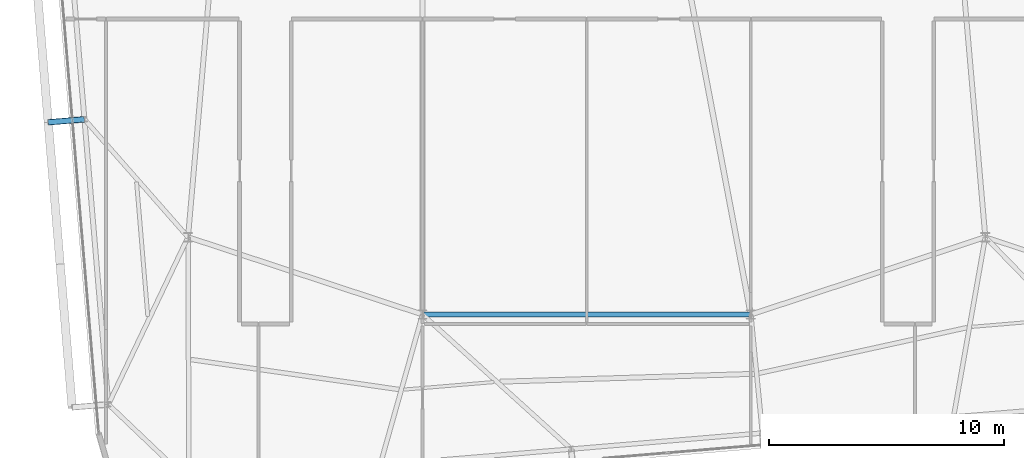
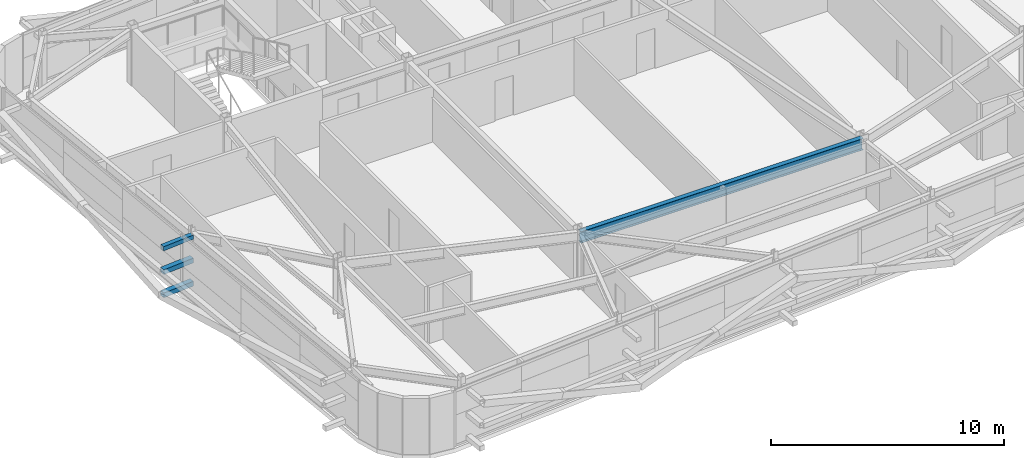
# One storey, part 11 of 39: 3 members, 1 beam.
"""IFC4 building model written with IfcOpenShell, lengths in metres."""

import ifcopenshell
import ifcopenshell.guid

model = None  # the IFC model being written
_history = None  # IfcOwnerHistory: only IFC2X3 demands one
_inside = {}  # id of a spatial element -> (the spatial element, [elements in it])
_under = {}  # id of a project, library or spatial element -> (it, [spatial elements below it])
_declared = {}  # id of a project -> (the project, [libraries it declares])
_typed = {}  # id of a type object -> (the type object, [elements of that type])
_made_of = {}  # id of a material, layer set ... -> (it, [elements and type objects made of it])


def new_model(schema):
    """Start an empty IFC model of exactly this schema.

    Asked for "IFC4X3", IfcOpenShell would pick the latest addendum, in which some entities
    have other attributes; the version numbers below select the first issue.
    IFC2X3 requires an IfcOwnerHistory on every rooted entity: one is made here for all.
    """
    global model, _history
    if schema == "IFC4X3":
        model = ifcopenshell.file(schema_version=(4, 3, 0, 0))
    else:
        model = ifcopenshell.file(schema=schema)
    _inside.clear()
    _under.clear()
    _declared.clear()
    _typed.clear()
    _made_of.clear()
    _history = None
    if model.schema == "IFC2X3":
        org = make("IfcOrganization", Name="unknown")
        user = make(
            "IfcPersonAndOrganization",
            ThePerson=make("IfcPerson", FamilyName="unknown"),
            TheOrganization=org,
        )
        app = make(
            "IfcApplication",
            ApplicationDeveloper=org,
            Version="unknown",
            ApplicationFullName="unknown",
            ApplicationIdentifier="unknown",
        )
        _history = make(
            "IfcOwnerHistory",
            OwningUser=user,
            OwningApplication=app,
            ChangeAction="ADDED",
            CreationDate=0,
        )
    return model


def make(cls, **values):
    """One entity of the class cls with the attributes given. An attribute that is None is left unset."""
    return model.create_entity(
        cls, **{name: value for name, value in values.items() if value is not None}
    )


def rooted(cls, **values):
    """An entity with a GlobalId (a new one), such as an element, a storey or a relation."""
    return make(cls, GlobalId=ifcopenshell.guid.new(), OwnerHistory=_history, **values)


def si_unit(unit_type, name, prefix=None):
    """IfcSIUnit, for example si_unit("LENGTHUNIT", "METRE", prefix="MILLI")."""
    return make("IfcSIUnit", UnitType=unit_type, Prefix=prefix, Name=name)


def assignment(units):
    """IfcUnitAssignment: the units of a project."""
    return None if units is None else make("IfcUnitAssignment", Units=units)


def point(xyz):
    """IfcCartesianPoint."""
    return None if xyz is None else make("IfcCartesianPoint", Coordinates=xyz)


def direction(xyz):
    """IfcDirection."""
    return None if xyz is None else make("IfcDirection", DirectionRatios=xyz)


def frame(location, z_axis=None, x_axis=None):
    """IfcAxis2Placement3D, a coordinate frame: its origin and axes. An axis left out is left unset."""
    return make(
        "IfcAxis2Placement3D",
        Location=point(location),
        Axis=direction(z_axis),
        RefDirection=direction(x_axis),
    )


def frame_2d(location, x_axis=None):
    """IfcAxis2Placement2D, a coordinate frame in the plane: its origin and x axis."""
    return make(
        "IfcAxis2Placement2D", Location=point(location), RefDirection=direction(x_axis)
    )


def origin():
    """The frame at (0, 0, 0) with its axes left unset."""
    return frame((0.0, 0.0, 0.0))


def origin_2d():
    """The frame at (0, 0) in the plane with its x axis left unset."""
    return frame_2d((0.0, 0.0))


def place(relative_to, where):
    """IfcLocalPlacement: puts the frame where relative to a parent placement (None: the world)."""
    return make(
        "IfcLocalPlacement", PlacementRelTo=relative_to, RelativePlacement=where
    )


def context(
    kind, dimensions, precision=None, world=None, true_north=None, identifier=None
):
    """IfcGeometricRepresentationContext, for example the 3D "Model" context."""
    return make(
        "IfcGeometricRepresentationContext",
        ContextIdentifier=identifier,
        ContextType=kind,
        CoordinateSpaceDimension=dimensions,
        Precision=precision,
        WorldCoordinateSystem=world,
        TrueNorth=true_north,
    )


def subcontext(parent, identifier, kind, view, scale=None):
    """IfcGeometricRepresentationSubContext, for example "Body" below "Model"."""
    return make(
        "IfcGeometricRepresentationSubContext",
        ContextIdentifier=identifier,
        ContextType=kind,
        ParentContext=parent,
        TargetScale=scale,
        TargetView=view,
    )


def project(units=None, contexts=None):
    """IfcProject with its units and contexts."""
    return rooted(
        "IfcProject",
        Name="project",
        RepresentationContexts=contexts,
        UnitsInContext=assignment(units),
    )


def spatial(cls, under=None, at=None, **own):
    """A site, building, storey or space (cls), placed at a placement, below another one or the project."""
    s = rooted(cls, ObjectPlacement=at, **own)
    if under is not None:
        _under.setdefault(under.id(), (under, []))[1].append(s)
    return s


def profile(cls, at=None, kind="AREA", **sizes):
    """A parametric profile (cls). Its sizes go by their IFC names, for example OverallWidth=200.0."""
    return make(cls, ProfileType=kind, Position=at, **sizes)


def hollow_rectangle(**sizes):
    """IfcRectangleHollowProfileDef."""
    return profile("IfcRectangleHollowProfileDef", **sizes)


def i_section(**sizes):
    """IfcIShapeProfileDef."""
    return profile("IfcIShapeProfileDef", **sizes)


def extrude(swept, where, along, depth):
    """IfcExtrudedAreaSolid: the profile swept, set in the frame where, extruded along a direction by depth."""
    return make(
        "IfcExtrudedAreaSolid",
        SweptArea=swept,
        Position=where,
        ExtrudedDirection=direction(along),
        Depth=depth,
    )


def shape(context_of_items, identifier, shape_type, items):
    """IfcShapeRepresentation: the items that make up one representation, for example the "Body"."""
    return make(
        "IfcShapeRepresentation",
        ContextOfItems=context_of_items,
        RepresentationIdentifier=identifier,
        RepresentationType=shape_type,
        Items=items,
    )


def source(mapping_origin, context_of_items, identifier, shape_type, items):
    """IfcRepresentationMap: a shape defined once, which mapped items show again and again."""
    return make(
        "IfcRepresentationMap",
        MappingOrigin=mapping_origin,
        MappedRepresentation=shape(context_of_items, identifier, shape_type, items),
    )


def transform(
    local_origin,
    x_axis=None,
    y_axis=None,
    z_axis=None,
    scale=None,
    scale2=None,
    scale3=None,
    uniform=True,
):
    """IfcCartesianTransformationOperator3D, or its non-uniform kind. x_axis, y_axis, z_axis: its Axis1, 2, 3."""
    if uniform:
        return make(
            "IfcCartesianTransformationOperator3D",
            Axis1=direction(x_axis),
            Axis2=direction(y_axis),
            LocalOrigin=point(local_origin),
            Scale=scale,
            Axis3=direction(z_axis),
        )
    return make(
        "IfcCartesianTransformationOperator3DnonUniform",
        Axis1=direction(x_axis),
        Axis2=direction(y_axis),
        LocalOrigin=point(local_origin),
        Scale=scale,
        Axis3=direction(z_axis),
        Scale2=scale2,
        Scale3=scale3,
    )


def mapped(mapping_source, mapping_target):
    """IfcMappedItem: shows the shape of a source again, moved by a transform."""
    return make(
        "IfcMappedItem", MappingSource=mapping_source, MappingTarget=mapping_target
    )


def material(Name=None, Category=None):
    """IfcMaterial."""
    return make("IfcMaterial", Name=Name, Category=Category)


def material_profile(
    of_material, cross_section, Name=None, Category=None, Priority=None
):
    """IfcMaterialProfile: a cross section and its material."""
    return make(
        "IfcMaterialProfile",
        Name=Name,
        Material=of_material,
        Profile=cross_section,
        Priority=Priority,
        Category=Category,
    )


def profile_set(profiles, Name=None, composite=None):
    """IfcMaterialProfileSet."""
    return make(
        "IfcMaterialProfileSet",
        Name=Name,
        MaterialProfiles=profiles,
        CompositeProfile=composite,
    )


def made_of(thing, what):
    """Note that an element or type object is made of a material, layer set ...; save() writes the relation."""
    if what is not None:
        _made_of.setdefault(what.id(), (what, []))[1].append(thing)
    return thing


def type_object(cls, material=None, **own):
    """A type object (cls), such as IfcWallType, which elements share."""
    return made_of(rooted(cls, **own), material)


def element(
    cls,
    number,
    at=None,
    inside=None,
    cuts=None,
    type_object=None,
    material=None,
    context=None,
    identifier="Body",
    shape_type=None,
    held_by="IfcProductDefinitionShape",
    body=None,
    shapes=None,
    **own,
):
    """One element of the class cls, such as IfcWall. Its Tag is "e" and its number.

    at: its placement. inside: the storey or other place that contains it. cuts: it is an
    opening in that element (IfcRelVoidsElement). A single representation is given by context,
    identifier, shape_type and body (its items); several are given by shapes. held_by: the class
    of the entity that holds the representations. save() writes the other relations.
    """
    e = rooted(cls, Tag="e%d" % number, ObjectPlacement=at, **own)
    if body is not None:
        shapes = [shape(context, identifier, shape_type, body)]
    if shapes is not None:
        e.Representation = make(held_by, Representations=shapes)
    if inside is not None:
        _inside.setdefault(inside.id(), (inside, []))[1].append(e)
    if cuts is not None:
        rooted(
            "IfcRelVoidsElement", RelatingBuildingElement=cuts, RelatedOpeningElement=e
        )
    if type_object is not None:
        _typed.setdefault(type_object.id(), (type_object, []))[1].append(e)
    return made_of(e, material)


def aggregate(whole, parts):
    """IfcRelAggregates: a whole, such as a stair, and the parts it consists of."""
    return rooted("IfcRelAggregates", RelatingObject=whole, RelatedObjects=parts)


def save(model, path):
    """Write the relations noted so far, then the file.

    IfcRelAggregates (storeys below a building ...), IfcRelContainedInSpatialStructure (elements
    in a storey), IfcRelDefinesByType, IfcRelAssociatesMaterial and IfcRelDeclares: one each for
    every whole, place, type object, material and project.
    """
    for whole, parts in _under.values():
        aggregate(whole, parts)
    for where, things in _inside.values():
        rooted(
            "IfcRelContainedInSpatialStructure",
            RelatedElements=things,
            RelatingStructure=where,
        )
    for kind, things in _typed.values():
        rooted("IfcRelDefinesByType", RelatedObjects=things, RelatingType=kind)
    for what, things in _made_of.values():
        rooted("IfcRelAssociatesMaterial", RelatedObjects=things, RelatingMaterial=what)
    for by, libraries in _declared.values():
        rooted("IfcRelDeclares", RelatingContext=by, RelatedDefinitions=libraries)
    model.write(path)


model = new_model("IFC4")

# Units and contexts
model_context = context("Model", 3, precision=1e-05, world=origin(), true_north=direction((0.0, 1.0)))
body_context = subcontext(model_context, "Body", "Model", "MODEL_VIEW")
ifc_project = project(units=[si_unit("LENGTHUNIT", "METRE"), si_unit("AREAUNIT", "SQUARE_METRE"), si_unit("VOLUMEUNIT", "CUBIC_METRE"), si_unit("PLANEANGLEUNIT", "RADIAN"), si_unit("MASSUNIT", "GRAM", prefix="KILO")], contexts=[model_context])

# Site, building, storey
site_placement = place(None, origin())
site = spatial("IfcSite", under=ifc_project, at=site_placement, CompositionType="ELEMENT")
building_placement = place(site_placement, origin())
building = spatial("IfcBuilding", under=site, at=building_placement, Name="Taldren Reach Tower", CompositionType="ELEMENT")
storey_placement = place(building_placement, frame((0.0, 0.0, 175.699951171875)))
storey = spatial("IfcBuildingStorey", under=building, at=storey_placement, Name="L53", CompositionType="ELEMENT", Elevation=175.699951171875)

# Beam
ifc_material_1 = material(Name="Steel Gr 350 (350PLUS)", Category="steel")
ifc_material_profile_1 = material_profile(ifc_material_1, i_section(OverallWidth=0.22802734375, OverallDepth=0.60205078125, WebThickness=0.010498046875, FlangeThickness=0.014892578125, at=origin_2d()), Name="610UB101")
ifc_profile_set_1 = profile_set([ifc_material_profile_1], Name="Steel Gr 350 (350PLUS)")
beam_type = type_object("IfcBeamType", Name="BM-UB610B", PredefinedType="BEAM", material=ifc_profile_set_1)
shared_shape_1 = source(origin(), body_context, "Body", "SweptSolid", [
    extrude(i_section(OverallWidth=0.22802734375, OverallDepth=0.60205078125, WebThickness=0.010498046875, FlangeThickness=0.014892578125, at=origin_2d()), origin(), (0.0, 0.0, 1.0), 14.0),
])
beam_placement = place(storey_placement, frame((28.0, 9.199951171875, 2.629150390625), z_axis=(1.0, 0.0, 0.0), x_axis=(0.0, 1.0, 0.0)))
element("IfcBeam", 1, at=beam_placement, inside=storey, type_object=beam_type, Name="Core-spine girder L53-SP11", PredefinedType="BEAM", context=body_context, shape_type="MappedRepresentation", body=[
    mapped(shared_shape_1, transform((0.0, 0.0, 0.0), scale=1.0)),
])

# Members
ifc_material_2 = material(Name="Steel Gr 450 (C450L0)", Category="steel")
ifc_material_profile_2 = material_profile(ifc_material_2, hollow_rectangle(XDim=0.219970703125, YDim=0.219970703125, WallThickness=0.00830078125, at=origin_2d()), Name="220x220x8.2SHS")
ifc_profile_set_2 = profile_set([ifc_material_profile_2], Name="Steel Gr 450 (C450L0)")
member_type_1 = type_object("IfcMemberType", Name="MB-TIE219", PredefinedType="STRUT", material=ifc_profile_set_2)
shared_shape_2 = source(origin(), body_context, "Body", "SweptSolid", [
    extrude(hollow_rectangle(XDim=0.219970703125, YDim=0.219970703125, WallThickness=0.00830078125, at=origin_2d()), origin(), (0.0, 0.0, 1.0), 1.54541015625),
])
member_placement = place(storey_placement, frame((13.578125, 17.52490234375, 2.650146484375), z_axis=(-0.99648887425, -0.083725285883, 0.0), x_axis=(0.083725285883, -0.99648887425, 0.0)))
element("IfcMember", 2, at=member_placement, inside=storey, type_object=member_type_1, Name="Exoskeleton diaphragm tie strut B4-W2 L53", PredefinedType="STRUT", context=body_context, shape_type="MappedRepresentation", body=[
    mapped(shared_shape_2, transform((0.0, 0.0, 0.0), scale=1.0)),
])
ifc_material_3 = material(Name="Steel Gr 350 (C350L0)", Category="steel")
ifc_material_profile_3 = material_profile(ifc_material_3, hollow_rectangle(XDim=0.25, YDim=0.25, WallThickness=0.010009765625, at=origin_2d()), Name="250x250x10.0SHS")
ifc_profile_set_3 = profile_set([ifc_material_profile_3], Name="Steel Gr 350 (C350L0)")
member_type_2 = type_object("IfcMemberType", Name="MB-POST250", PredefinedType="POST", material=ifc_profile_set_3)
shared_shape_3 = source(origin(), body_context, "Body", "SweptSolid", [
    extrude(hollow_rectangle(XDim=0.25, YDim=0.25, WallThickness=0.010009765625, at=origin_2d()), origin(), (0.0, 0.0, 1.0), 1.54541015625),
])
for number, where, z_axis, x_axis, name in (
    (3, (13.578125, 17.52490234375, 0.219970703125), (-0.99648887425, -0.083725285883, 0.0), (0.083725285883, -0.99648887425, 0.0), "Exoskeleton base diaphragm tie strut B4-W2 L53"),
    (4, (13.578125, 17.52490234375, 1.43505859375), (-0.99648887425, -0.083725285883, 0.0), (0.083725285883, -0.99648887425, 0.0), "Exoskeleton mid-tier diaphragm tie B4-W2 L53"),
):
    element("IfcMember", number, at=place(storey_placement, frame(where, z_axis=z_axis, x_axis=x_axis)), inside=storey, type_object=member_type_2, Name=name, PredefinedType="POST", context=body_context, shape_type="MappedRepresentation", body=[
        mapped(shared_shape_3, transform((0.0, 0.0, 0.0), scale=1.0)),
    ])

save(model, "model.ifc")
